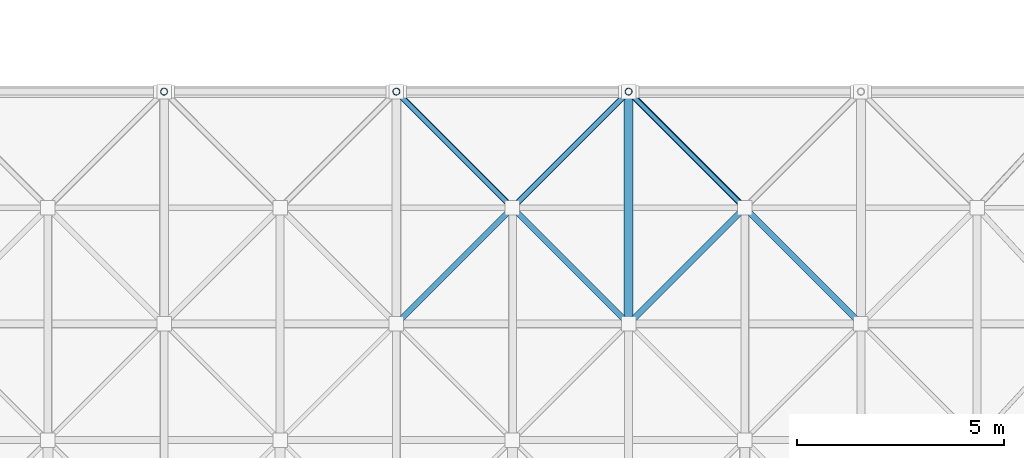
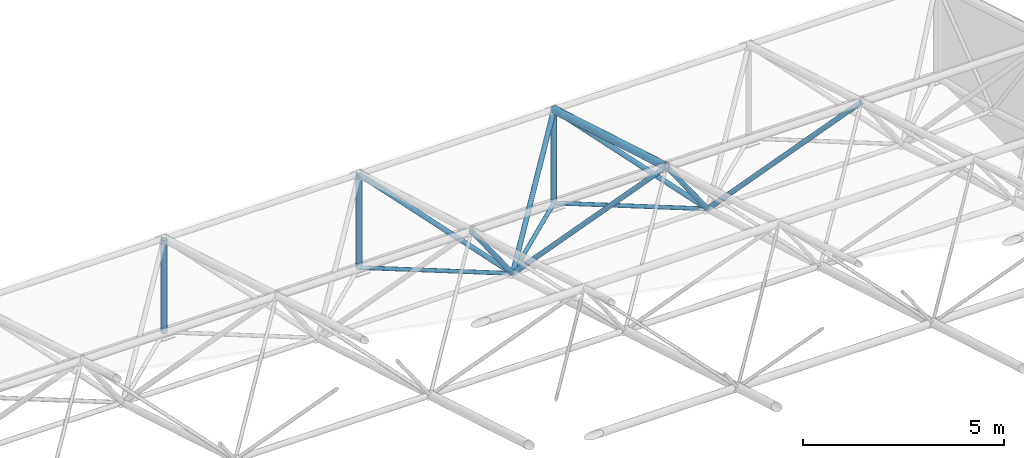
# One storey, part 44 of 100: 14 members.
"""IFC4 building model written with IfcOpenShell, lengths in metres."""

from ifc_helpers import new_model, si_unit, direction, frame, origin, origin_2d, place, context, subcontext, project, spatial, hollow_circle, extrude, material, material_profile, profile_set, type_object, element, save


model = new_model("IFC4")

# Units and contexts
model_context = context("Model", 3, precision=1e-05, world=origin(), true_north=direction((0.0, 1.0)))
body_context = subcontext(model_context, "Body", "Model", "MODEL_VIEW")
ifc_project = project(units=[si_unit("LENGTHUNIT", "METRE"), si_unit("AREAUNIT", "SQUARE_METRE"), si_unit("VOLUMEUNIT", "CUBIC_METRE"), si_unit("PLANEANGLEUNIT", "RADIAN"), si_unit("MASSUNIT", "GRAM", prefix="KILO")], contexts=[model_context])

# Site, building, storey
site_placement = place(None, origin())
site = spatial("IfcSite", under=ifc_project, at=site_placement, CompositionType="ELEMENT")
building_placement = place(site_placement, origin())
building = spatial("IfcBuilding", under=site, at=building_placement, Name="Kiln Court Media Centre", CompositionType="ELEMENT")
storey_placement = place(building_placement, frame((0.0, 0.0, 15.0)))
storey = spatial("IfcBuildingStorey", under=building, at=storey_placement, Name="L03", CompositionType="ELEMENT", Elevation=15.0)

# Members
ifc_material_1 = material(Name="Steel ASTM A500 Gr C", Category="steel")
ifc_material_profile_1 = material_profile(ifc_material_1, hollow_circle(Radius=0.05712890625, WallThickness=0.0048828125, at=origin_2d()), Name="CHS 114.3x5.0")
ifc_profile_set_1 = profile_set([ifc_material_profile_1], Name="Steel ASTM A500 Gr C")
member_type_1 = type_object("IfcMemberType", Name="Steel ASTM A500 Gr C CHS 114.3x5.0 space frame brace", PredefinedType="BRACE", material=ifc_profile_set_1)
for number, where, z_axis, x_axis, name in (
    (1, (151.199951171875, 67.199951171875, 0.16455078125), (0.700650262178, -0.700650262178, 0.134827371927), (0.707106781187, 0.707106781187, 0.0), "V2 roof bearing tie last 7 space frame brace"),
    (2, (156.800048828125, 67.199951171875, 0.16455078125), (-0.700650262178, -0.700650262178, 0.134827371927), (0.707106781187, -0.707106781187, 0.0), "V2 roof bearing tie last 8 space frame brace"),
    (3, (156.800048828125, 67.199951171875, 0.16455078125), (0.700650262178, -0.700650262178, 0.134827371927), (0.707106781187, 0.707106781187, 0.0), "V2 roof bearing tie last 8 space frame brace"),
):
    element("IfcMember", number, at=place(storey_placement, frame(where, z_axis=z_axis, x_axis=x_axis)), inside=storey, type_object=member_type_1, Name=name, PredefinedType="BRACE", context=body_context, shape_type="SweptSolid", body=[
        extrude(hollow_circle(Radius=0.05712890625, WallThickness=0.0048828125, at=origin_2d()), origin(), (0.0, 0.0, 1.0), 3.996337890625),
    ])
ifc_material_2 = material(Name="Steel ASTM A500 Gr C", Category="steel")
ifc_material_profile_2 = material_profile(ifc_material_2, hollow_circle(Radius=0.06982421875, WallThickness=0.0048828125, at=origin_2d()), Name="CHS 139.7x5.0")
ifc_profile_set_2 = profile_set([ifc_material_profile_2], Name="Steel ASTM A500 Gr C")
member_type_2 = type_object("IfcMemberType", Name="Steel ASTM A500 Gr C CHS 139.7x5.0 space frame brace", PredefinedType="BRACE", material=ifc_profile_set_2)
member_1_placement = place(storey_placement, frame((154.0, 64.39990234375, 0.703369140625), z_axis=(-0.499789216589, -0.499745639188, 0.707435534232), x_axis=(0.707075952299, -0.70713760873, 0.0)))
element("IfcMember", 4, at=member_1_placement, inside=storey, type_object=member_type_2, Name="V2 roof diagonal 6-7 space frame brace", PredefinedType="BRACE", context=body_context, shape_type="SweptSolid", body=[
    extrude(hollow_circle(Radius=0.06982421875, WallThickness=0.0048828125, at=origin_2d()), origin(), (0.0, 0.0, 1.0), 5.6025390625),
])
member_2_placement = place(storey_placement, frame((154.0, 64.39990234375, 0.703369140625), z_axis=(-0.611675588557, 0.611675588557, 0.501703048353), x_axis=(-0.707106781187, -0.707106781187, 0.0)))
element("IfcMember", 5, at=member_2_placement, inside=storey, type_object=member_type_2, Name="V2 roof diagonal 6-7 space frame brace", PredefinedType="BRACE", context=body_context, shape_type="SweptSolid", body=[
    extrude(hollow_circle(Radius=0.06982421875, WallThickness=0.0048828125, at=origin_2d()), origin(), (0.0, 0.0, 1.0), 4.57763671875),
])
member_3_placement = place(storey_placement, frame((154.0, 64.39990234375, 0.703369140625), z_axis=(0.499789216589, -0.499745639188, 0.707435534232), x_axis=(0.707075952299, 0.70713760873, 0.0)))
element("IfcMember", 6, at=member_3_placement, inside=storey, type_object=member_type_2, Name="V2 roof diagonal 6-7 space frame brace", PredefinedType="BRACE", context=body_context, shape_type="SweptSolid", body=[
    extrude(hollow_circle(Radius=0.06982421875, WallThickness=0.0048828125, at=origin_2d()), origin(), (0.0, 0.0, 1.0), 5.6025390625),
])
member_4_placement = place(storey_placement, frame((154.0, 64.39990234375, 0.703369140625), z_axis=(0.611675588557, 0.611675588557, 0.501703048353), x_axis=(-0.707106781187, 0.707106781187, 0.0)))
element("IfcMember", 7, at=member_4_placement, inside=storey, type_object=member_type_2, Name="V2 roof diagonal 6-7 space frame brace", PredefinedType="BRACE", context=body_context, shape_type="SweptSolid", body=[
    extrude(hollow_circle(Radius=0.06982421875, WallThickness=0.0048828125, at=origin_2d()), origin(), (0.0, 0.0, 1.0), 4.57763671875),
])
member_5_placement = place(storey_placement, frame((159.60009765625, 64.39990234375, 0.703369140625), z_axis=(-0.499789216589, -0.499745639188, 0.707435534232), x_axis=(0.707075952299, -0.70713760873, 0.0)))
element("IfcMember", 8, at=member_5_placement, inside=storey, type_object=member_type_2, Name="V2 roof diagonal 6-8 space frame brace", PredefinedType="BRACE", context=body_context, shape_type="SweptSolid", body=[
    extrude(hollow_circle(Radius=0.06982421875, WallThickness=0.0048828125, at=origin_2d()), origin(), (0.0, 0.0, 1.0), 5.6025390625),
])
member_6_placement = place(storey_placement, frame((159.60009765625, 64.39990234375, 0.703369140625), z_axis=(-0.611675588557, 0.611675588557, 0.501703048353), x_axis=(-0.707106781187, -0.707106781187, 0.0)))
element("IfcMember", 9, at=member_6_placement, inside=storey, type_object=member_type_2, Name="V2 roof diagonal 6-8 space frame brace", PredefinedType="BRACE", context=body_context, shape_type="SweptSolid", body=[
    extrude(hollow_circle(Radius=0.06982421875, WallThickness=0.0048828125, at=origin_2d()), origin(), (0.0, 0.0, 1.0), 4.57763671875),
])
member_7_placement = place(storey_placement, frame((159.60009765625, 64.39990234375, 0.703369140625), z_axis=(0.499756523287, -0.499756523287, 0.707450941667), x_axis=(0.707106781187, 0.707106781187, 0.0)))
element("IfcMember", 10, at=member_7_placement, inside=storey, type_object=member_type_2, Name="V2 roof diagonal 6-8 space frame brace", PredefinedType="BRACE", context=body_context, shape_type="SweptSolid", body=[
    extrude(hollow_circle(Radius=0.06982421875, WallThickness=0.0048828125, at=origin_2d()), origin(), (0.0, 0.0, 1.0), 5.602294921875),
])
ifc_material_3 = material(Name="Steel ASTM A500 Gr C", Category="steel")
ifc_material_profile_3 = material_profile(ifc_material_3, hollow_circle(Radius=0.084228515625, WallThickness=0.00634765625, at=origin_2d()), Name="CHS 168.3x6.3")
ifc_profile_set_3 = profile_set([ifc_material_profile_3], Name="Steel ASTM A500 Gr C")
member_type_3 = type_object("IfcMemberType", Name="Steel ASTM A500 Gr C CHS 168.3x6.3 space frame strut", PredefinedType="STRUT", material=ifc_profile_set_3)
for number, where, z_axis, x_axis, name in (
    (11, (145.60009765625, 67.199951171875, 0.16455078125), (0.0, 0.0, 1.0), (1.0, 0.0, 0.0), "V2 roof bearing post last 6 space frame strut"),
    (12, (151.199951171875, 67.199951171875, 0.16455078125), (0.0, 0.0, 1.0), (1.0, 0.0, 0.0), "V2 roof bearing post last 7 space frame strut"),
    (13, (156.800048828125, 67.199951171875, 0.16455078125), (0.0, 0.0, 1.0), (1.0, 0.0, 0.0), "V2 roof bearing post last 8 space frame strut"),
):
    element("IfcMember", number, at=place(storey_placement, frame(where, z_axis=z_axis, x_axis=x_axis)), inside=storey, type_object=member_type_3, Name=name, PredefinedType="STRUT", context=body_context, shape_type="SweptSolid", body=[
        extrude(hollow_circle(Radius=0.084228515625, WallThickness=0.00634765625, at=origin_2d()), origin(), (0.0, 0.0, 1.0), 2.83544921875),
    ])
ifc_material_4 = material(Name="Steel ASTM A500 Gr C", Category="steel")
ifc_material_profile_4 = material_profile(ifc_material_4, hollow_circle(Radius=0.109619140625, WallThickness=0.008056640625, at=origin_2d()), Name="CHS 219.1x8.0")
ifc_profile_set_4 = profile_set([ifc_material_profile_4], Name="Steel ASTM A500 Gr C")
member_type_4 = type_object("IfcMemberType", Name="Steel ASTM A500 Gr C CHS 219.1x8.0 space frame chord", PredefinedType="CHORD", material=ifc_profile_set_4)
member_8_placement = place(storey_placement, frame((156.800048828125, 61.60009765625, 4.666748046875), z_axis=(0.0, 0.958446230045, -0.285273244649), x_axis=(-1.0, 0.0, 0.0)))
element("IfcMember", 14, at=member_8_placement, inside=storey, type_object=member_type_4, Name="V2 roof top chord across line 8 space frame chord", PredefinedType="CHORD", context=body_context, shape_type="SweptSolid", body=[
    extrude(hollow_circle(Radius=0.109619140625, WallThickness=0.008056640625, at=origin_2d()), origin(), (0.0, 0.0, 1.0), 5.842529296875),
])

save(model, "model.ifc")
